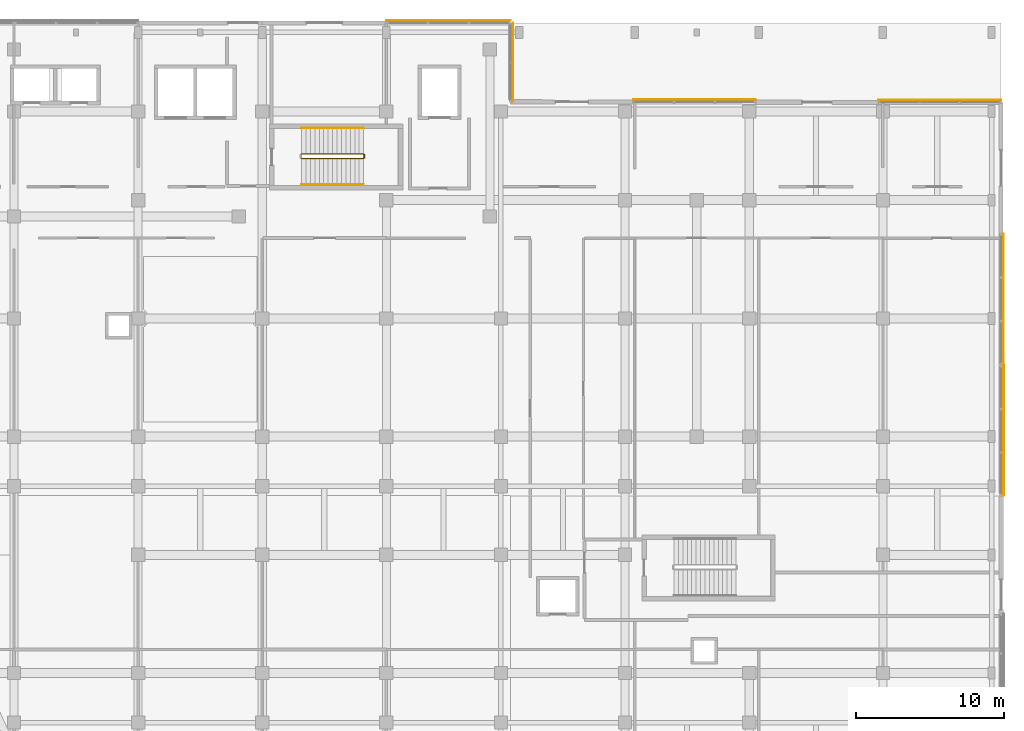
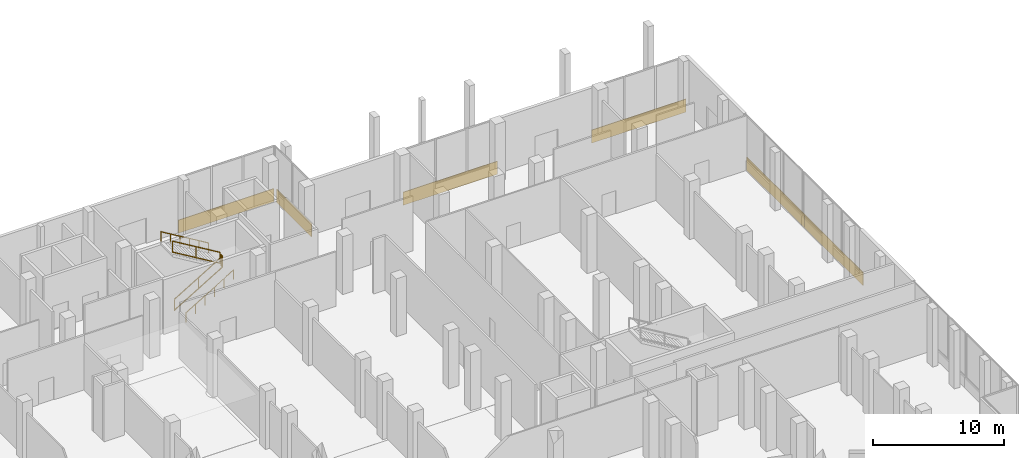
# One storey, part 158 of 158: 6 coverings, 5 railings.
"""IFC4 building model written with IfcOpenShell, lengths in metres."""

from ifc_helpers import new_model, si_unit, direction, frame, origin, origin_2d, place, context, subcontext, project, spatial, rectangle, circle, extrude, material, layer, layer_set, type_object, element, save


model = new_model("IFC4")

# Units and contexts
model_context = context("Model", 3, precision=1e-05, world=origin(), true_north=direction((0.0, 1.0)))
body_context = subcontext(model_context, "Body", "Model", "MODEL_VIEW")
ifc_project = project(units=[si_unit("LENGTHUNIT", "METRE"), si_unit("AREAUNIT", "SQUARE_METRE"), si_unit("VOLUMEUNIT", "CUBIC_METRE"), si_unit("PLANEANGLEUNIT", "RADIAN"), si_unit("MASSUNIT", "GRAM", prefix="KILO")], contexts=[model_context])

# Site, building, storey
site_placement = place(None, origin())
site = spatial("IfcSite", under=ifc_project, at=site_placement, CompositionType="ELEMENT")
building_placement = place(site_placement, origin())
building = spatial("IfcBuilding", under=site, at=building_placement, Name="Selatvlak General Hospital", CompositionType="ELEMENT")
storey_placement = place(building_placement, origin())
storey = spatial("IfcBuildingStorey", under=building, at=storey_placement, Name="L00", CompositionType="ELEMENT", Elevation=0.0)

# Coverings
ifc_material_1 = material(Name="White Bauhaus fair-faced cladding panel")
ifc_layer = layer(ifc_material_1, 0.054931640625, Name="White Bauhaus fair-faced cladding panel")
ifc_layer_set = layer_set([ifc_layer], Name="White Bauhaus fair-faced cladding panel")
covering_type = type_object("IfcCoveringType", Name="COV-WHT1", PredefinedType="CLADDING", material=ifc_layer_set)
covering_1_placement = place(storey_placement, frame((144.59912109375, 120.1650390625, -0.27978515625), z_axis=(0.0, 0.0, 1.0), x_axis=(1.0, 0.0, 0.0)))
element("IfcCovering", 1, at=covering_1_placement, inside=storey, type_object=covering_type, Name="L00 Bauhaus horizontal white spandrel band 0012", PredefinedType="CLADDING", context=body_context, shape_type="SweptSolid", body=[
    extrude(rectangle(XDim=8.39990234375, YDim=0.054931640625, at=origin_2d()), origin(), (0.0, 0.0, 1.0), 1.219970703125),
])
covering_2_placement = place(storey_placement, frame((148.964111328125, 117.330078125, -0.27978515625), z_axis=(0.0, 0.0, 1.0), x_axis=(0.000191986217, -0.999999981571, 0.0)))
element("IfcCovering", 2, at=covering_2_placement, inside=storey, type_object=covering_type, Name="L00 Bauhaus horizontal white spandrel band 0013", PredefinedType="CLADDING", context=body_context, shape_type="SweptSolid", body=[
    extrude(rectangle(XDim=5.340087890625, YDim=0.054931640625, at=origin_2d()), origin(), (0.0, 0.0, 1.0), 1.219970703125),
])
covering_3_placement = place(storey_placement, frame((161.25, 114.802001953125, -0.27978515625), z_axis=(0.0, 0.0, 1.0), x_axis=(0.999998352629, -0.001815141425, 0.0)))
element("IfcCovering", 3, at=covering_3_placement, inside=storey, type_object=covering_type, Name="L00 Bauhaus horizontal white spandrel band 0014", PredefinedType="CLADDING", context=body_context, shape_type="SweptSolid", body=[
    extrude(rectangle(XDim=8.299072265625, YDim=0.054931640625, at=origin_2d()), origin(), (0.0, 0.0, 1.0), 1.219970703125),
])
covering_4_placement = place(storey_placement, frame((177.84912109375, 114.77197265625, -0.27978515625), z_axis=(0.0, 0.0, 1.0), x_axis=(0.999998352629, -0.001815141425, 0.0)))
element("IfcCovering", 4, at=covering_4_placement, inside=storey, type_object=covering_type, Name="L00 Bauhaus horizontal white spandrel band 0015", PredefinedType="CLADDING", context=body_context, shape_type="SweptSolid", body=[
    extrude(rectangle(XDim=8.300048828125, YDim=0.054931640625, at=origin_2d()), origin(), (0.0, 0.0, 1.0), 1.219970703125),
])
covering_5_placement = place(storey_placement, frame((182.1640625, 101.301025390625, -0.27978515625), z_axis=(0.0, 0.0, 1.0), x_axis=(0.000104719755, -0.999999994517, 0.0)))
element("IfcCovering", 5, at=covering_5_placement, inside=storey, type_object=covering_type, Name="L00 Bauhaus horizontal white spandrel band 0016", PredefinedType="CLADDING", context=body_context, shape_type="SweptSolid", body=[
    extrude(rectangle(XDim=8.866943359375, YDim=0.054931640625, at=origin_2d()), origin(), (0.0, 0.0, 1.0), 1.219970703125),
])
covering_6_placement = place(storey_placement, frame((182.1650390625, 92.43408203125, -0.27978515625), z_axis=(0.0, 0.0, 1.0), x_axis=(0.0, -1.0, 0.0)))
element("IfcCovering", 6, at=covering_6_placement, inside=storey, type_object=covering_type, Name="L00 Bauhaus horizontal white spandrel band 0017", PredefinedType="CLADDING", context=body_context, shape_type="SweptSolid", body=[
    extrude(rectangle(XDim=8.865966796875, YDim=0.054931640625, at=origin_2d()), origin(), (0.0, 0.0, 1.0), 1.219970703125),
])

# Railings
ifc_material_2 = material(Name="Stainless steel 316 stair guard", Category="steel")
railing_type_1 = type_object("IfcRailingType", Name="RAIL-STG", PredefinedType="GUARDRAIL", material=ifc_material_2)
railing_1_placement = place(storey_placement, frame((134.659912109375, 110.81005859375, 0.179931640625)))
element("IfcRailing", 7, at=railing_1_placement, inside=storey, type_object=railing_type_1, Name="L00 ST-04 stair guard 1", PredefinedType="GUARDRAIL", context=body_context, shape_type="SweptSolid", body=[
    extrude(rectangle(XDim=0.068115234375, YDim=0.068115234375, at=origin_2d()), frame((0.00244140625, 0.0, 1.067626953125), z_axis=(0.857501721439, 0.0, 0.514481095599), x_axis=(0.0, 1.0, 0.0)), (0.0, 0.0, 1.0), 4.892333984375),
    extrude(rectangle(XDim=0.068115234375, YDim=0.068115234375, at=origin_2d()), frame((0.00244140625, 0.0, 0.050537109375), z_axis=(0.857501721439, 0.0, 0.514481095599), x_axis=(0.0, 1.0, 0.0)), (0.0, 0.0, 1.0), 4.892333984375),
    extrude(rectangle(XDim=0.055908203125, YDim=0.055908203125, at=origin_2d()), origin(), (0.0, 0.0, 1.0), 1.029052734375),
    extrude(rectangle(XDim=0.055908203125, YDim=0.055908203125, at=origin_2d()), frame((2.10009765625, 0.0, 1.260009765625)), (0.0, 0.0, 1.0), 1.029052734375),
    extrude(rectangle(XDim=0.055908203125, YDim=0.055908203125, at=origin_2d()), frame((4.2001953125, 0.0, 2.52001953125)), (0.0, 0.0, 1.0), 1.029052734375),
])
railing_2_placement = place(storey_placement, frame((138.909912109375, 110.860107421875, 2.699951171875)))
element("IfcRailing", 8, at=railing_2_placement, inside=storey, type_object=railing_type_1, Name="L00 ST-04 stair guard 2", PredefinedType="GUARDRAIL", context=body_context, shape_type="SweptSolid", body=[
    extrude(rectangle(XDim=0.068115234375, YDim=0.068115234375, at=origin_2d()), frame((0.0, 0.0029296875, 1.06591796875), z_axis=(0.0, 1.0, 0.0), x_axis=(-1.0, 0.0, 0.0)), (0.0, 0.0, 1.0), 0.214111328125),
    extrude(rectangle(XDim=0.068115234375, YDim=0.068115234375, at=origin_2d()), frame((0.0, 0.0029296875, 0.049072265625), z_axis=(0.0, 1.0, 0.0), x_axis=(-1.0, 0.0, 0.0)), (0.0, 0.0, 1.0), 0.214111328125),
    extrude(rectangle(XDim=0.055908203125, YDim=0.055908203125, at=origin_2d()), origin(), (0.0, 0.0, 1.0), 1.029052734375),
    extrude(rectangle(XDim=0.055908203125, YDim=0.055908203125, at=origin_2d()), frame((0.0, 0.219970703125, 0.0)), (0.0, 0.0, 1.0), 1.029052734375),
])
railing_3_placement = place(storey_placement, frame((138.860107421875, 111.1298828125, 2.8798828125)))
element("IfcRailing", 9, at=railing_3_placement, inside=storey, type_object=railing_type_1, Name="L00 ST-04 stair guard 3", PredefinedType="GUARDRAIL", context=body_context, shape_type="SweptSolid", body=[
    extrude(rectangle(XDim=0.068115234375, YDim=0.068115234375, at=origin_2d()), frame((-0.00244140625, 0.0, 1.067626953125), z_axis=(-0.857501721439, 0.0, 0.514481095599), x_axis=(0.0, -1.0, 0.0)), (0.0, 0.0, 1.0), 4.892333984375),
    extrude(rectangle(XDim=0.068115234375, YDim=0.068115234375, at=origin_2d()), frame((-0.00244140625, 0.0, 0.050537109375), z_axis=(-0.857501721439, 0.0, 0.514481095599), x_axis=(0.0, -1.0, 0.0)), (0.0, 0.0, 1.0), 4.892333984375),
    extrude(rectangle(XDim=0.055908203125, YDim=0.055908203125, at=origin_2d()), origin(), (0.0, 0.0, 1.0), 1.029052734375),
    extrude(rectangle(XDim=0.055908203125, YDim=0.055908203125, at=origin_2d()), frame((-2.10009765625, 0.0, 1.260009765625)), (0.0, 0.0, 1.0), 1.029052734375),
    extrude(rectangle(XDim=0.055908203125, YDim=0.055908203125, at=origin_2d()), frame((-4.2001953125, 0.0, 2.52001953125)), (0.0, 0.0, 1.0), 1.029052734375),
])
ifc_material_3 = material(Name="Stainless steel 316 handrail", Category="steel")
railing_type_2 = type_object("IfcRailingType", Name="RAIL-STH", PredefinedType="HANDRAIL", material=ifc_material_3)
railing_4_placement = place(storey_placement, frame((134.659912109375, 109.050048828125, 0.179931640625)))
element("IfcRailing", 10, at=railing_4_placement, inside=storey, type_object=railing_type_2, Name="L00 ST-04 stair handrail 1", PredefinedType="HANDRAIL", context=body_context, shape_type="SweptSolid", body=[
    extrude(circle(Radius=0.02392578125, at=origin_2d()), frame((0.00244140625, 0.0, 0.87744140625), z_axis=(0.857501721439, 0.0, 0.514481095599), x_axis=(0.0, 1.0, 0.0)), (0.0, 0.0, 1.0), 4.892333984375),
    extrude(circle(Radius=0.02099609375, at=origin_2d()), origin(), (0.0, 0.0, 1.0), 0.848876953125),
    extrude(circle(Radius=0.02099609375, at=origin_2d()), frame((0.840087890625, 0.0, 0.50390625)), (0.0, 0.0, 1.0), 0.848876953125),
    extrude(circle(Radius=0.02099609375, at=origin_2d()), frame((1.68017578125, 0.0, 1.008056640625)), (0.0, 0.0, 1.0), 0.848876953125),
    extrude(circle(Radius=0.02099609375, at=origin_2d()), frame((2.52001953125, 0.0, 1.511962890625)), (0.0, 0.0, 1.0), 0.848876953125),
    extrude(circle(Radius=0.02099609375, at=origin_2d()), frame((3.360107421875, 0.0, 2.01611328125)), (0.0, 0.0, 1.0), 0.848876953125),
    extrude(circle(Radius=0.02099609375, at=origin_2d()), frame((4.2001953125, 0.0, 2.52001953125)), (0.0, 0.0, 1.0), 0.848876953125),
])
railing_5_placement = place(storey_placement, frame((138.860107421875, 112.889892578125, 2.8798828125)))
element("IfcRailing", 11, at=railing_5_placement, inside=storey, type_object=railing_type_2, Name="L00 ST-04 stair handrail 2", PredefinedType="HANDRAIL", context=body_context, shape_type="SweptSolid", body=[
    extrude(circle(Radius=0.02392578125, at=origin_2d()), frame((-0.00244140625, 0.0, 0.87744140625), z_axis=(-0.857501721439, 0.0, 0.514481095599), x_axis=(0.0, -1.0, 0.0)), (0.0, 0.0, 1.0), 4.892333984375),
    extrude(circle(Radius=0.02099609375, at=origin_2d()), origin(), (0.0, 0.0, 1.0), 0.848876953125),
    extrude(circle(Radius=0.02099609375, at=origin_2d()), frame((-0.840087890625, 0.0, 0.50390625)), (0.0, 0.0, 1.0), 0.848876953125),
    extrude(circle(Radius=0.02099609375, at=origin_2d()), frame((-1.68017578125, 0.0, 1.008056640625)), (0.0, 0.0, 1.0), 0.848876953125),
    extrude(circle(Radius=0.02099609375, at=origin_2d()), frame((-2.52001953125, 0.0, 1.511962890625)), (0.0, 0.0, 1.0), 0.848876953125),
    extrude(circle(Radius=0.02099609375, at=origin_2d()), frame((-3.360107421875, 0.0, 2.01611328125)), (0.0, 0.0, 1.0), 0.848876953125),
    extrude(circle(Radius=0.02099609375, at=origin_2d()), frame((-4.2001953125, 0.0, 2.52001953125)), (0.0, 0.0, 1.0), 0.848876953125),
])

save(model, "model.ifc")
